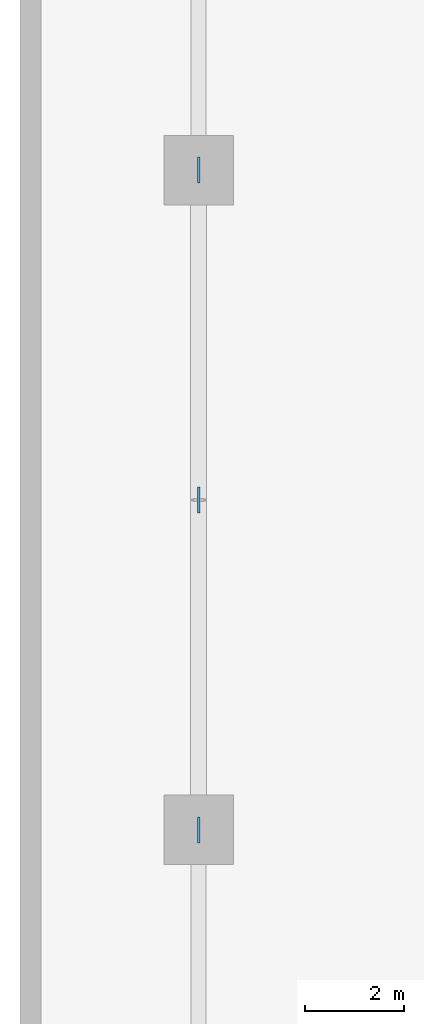
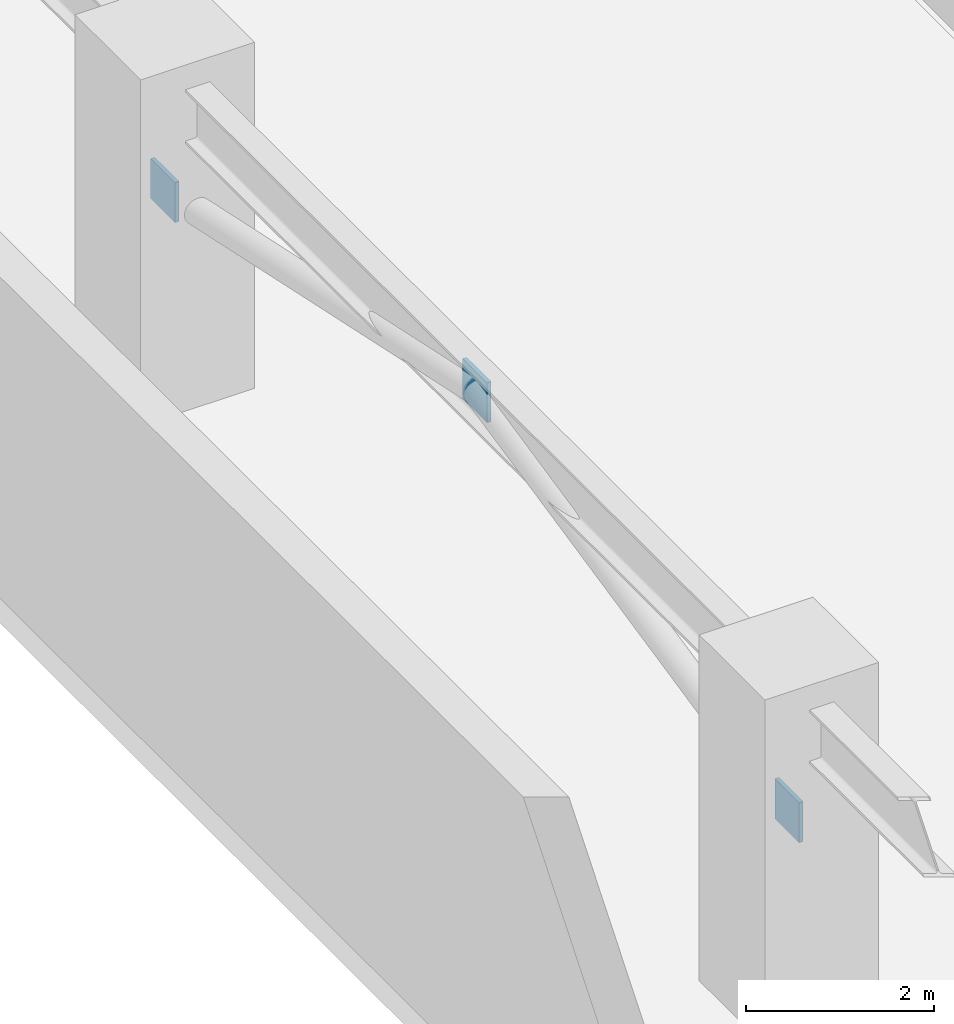
# One storey, part 19 of 32: 3 discrete accessories.
"""IFC4 building model written with IfcOpenShell, lengths in metres."""

from ifc_helpers import new_model, si_unit, direction, frame, origin, origin_2d, place, context, subcontext, project, spatial, rectangle, extrude, material, type_object, element, save


model = new_model("IFC4")

# Units and contexts
model_context = context("Model", 3, precision=1e-05, world=origin(), true_north=direction((0.0, 1.0)))
body_context = subcontext(model_context, "Body", "Model", "MODEL_VIEW")
ifc_project = project(units=[si_unit("LENGTHUNIT", "METRE"), si_unit("AREAUNIT", "SQUARE_METRE"), si_unit("VOLUMEUNIT", "CUBIC_METRE"), si_unit("PLANEANGLEUNIT", "RADIAN"), si_unit("MASSUNIT", "GRAM", prefix="KILO")], contexts=[model_context])

# Site, building, storey
site_placement = place(None, origin())
site = spatial("IfcSite", under=ifc_project, at=site_placement, CompositionType="ELEMENT")
building_placement = place(site_placement, origin())
building = spatial("IfcBuilding", under=site, at=building_placement, Name="Narakoshi Arena Tower", CompositionType="ELEMENT")
storey_placement = place(building_placement, frame((0.0, 0.0, 4.5)))
storey = spatial("IfcBuildingStorey", under=building, at=storey_placement, Name="L01", CompositionType="ELEMENT", Elevation=4.5)

# Discrete accessories
ifc_material = material(Name="Structural steel S460ML", Category="steel")
discrete_accessory_type = type_object("IfcDiscreteAccessoryType", Name="ACC-GUS-PLT", PredefinedType="BRACKET", material=ifc_material)
for number, where, z_axis, x_axis, name in (
    (1, (3.60009765625, 34.699951171875, 2.139892578125), (0.0, 0.0, 1.0), (0.0, 1.0, 0.0), "L01 Brace Node Gusset Plate 0019"),
    (2, (3.60009765625, 41.35009765625, 3.570068359375), (0.0, 0.0, 1.0), (0.0, 1.0, 0.0), "L01 Brace Node Gusset Plate 0020"),
    (3, (3.60009765625, 48.0, 2.139892578125), (0.0, 0.0, 1.0), (0.0, 1.0, 0.0), "L01 Brace Node Gusset Plate 0021"),
):
    element("IfcDiscreteAccessory", number, at=place(storey_placement, frame(where, z_axis=z_axis, x_axis=x_axis)), inside=storey, type_object=discrete_accessory_type, Name=name, PredefinedType="BRACKET", context=body_context, shape_type="SweptSolid", body=[
        extrude(rectangle(XDim=0.52001953125, YDim=0.050048828125, at=origin_2d()), origin(), (0.0, 0.0, 1.0), 0.52001953125),
    ])

save(model, "model.ifc")
